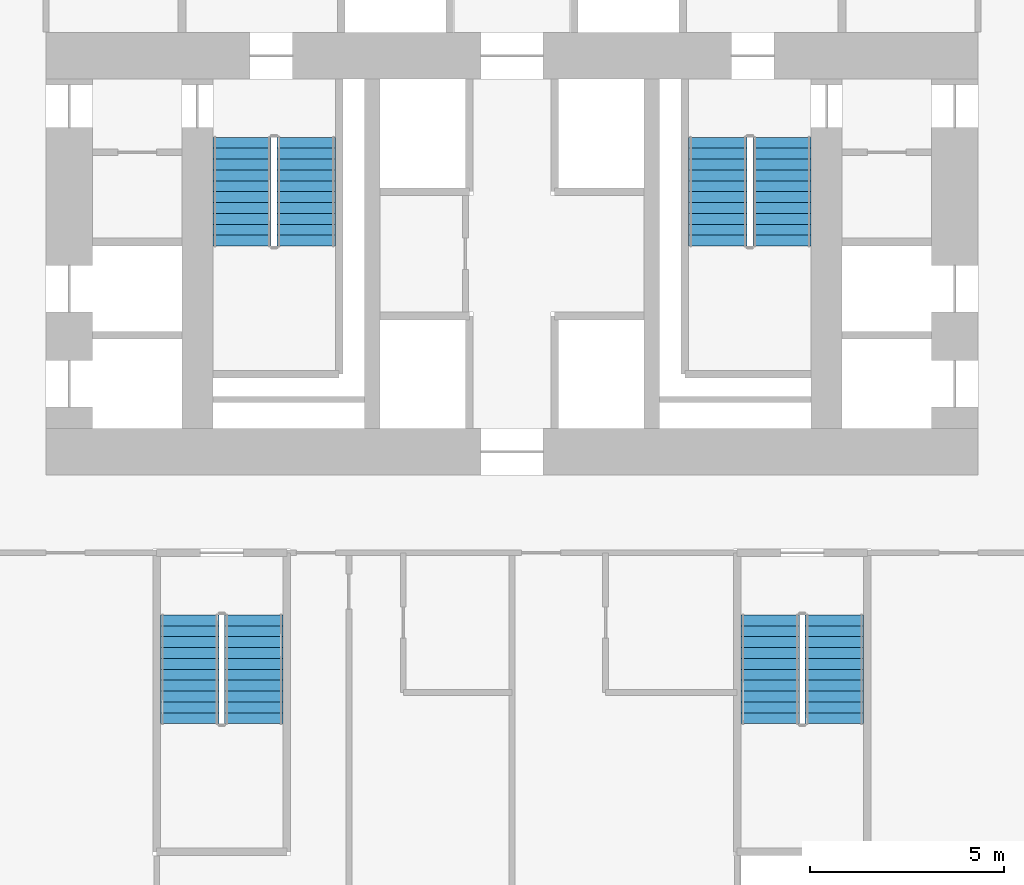
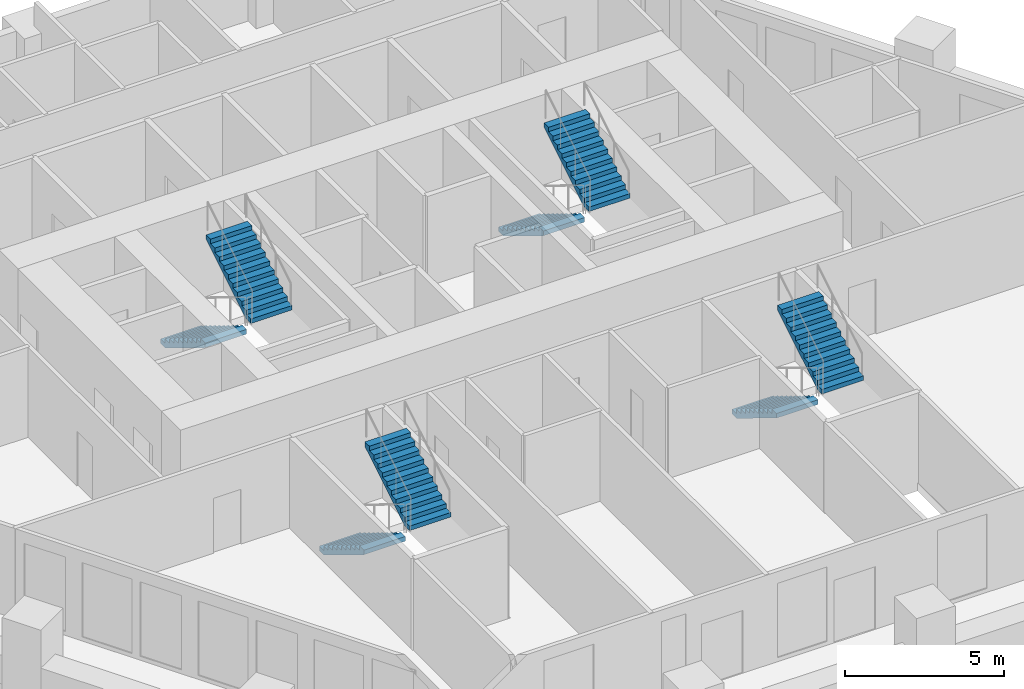
# One storey, part 7 of 8: 8 stair flights, 4 elements without a shape of their own.
"""IFC4 building model written with IfcOpenShell, lengths in metres."""

from ifc_helpers import new_model, si_unit, direction, frame, origin, place, context, subcontext, project, spatial, polyline, outline, extrude, material, type_object, element, aggregate, save


model = new_model("IFC4")

# Units and contexts
model_context = context("Model", 3, precision=1e-05, world=origin(), true_north=direction((0.0, 1.0)))
body_context = subcontext(model_context, "Body", "Model", "MODEL_VIEW")
ifc_project = project(units=[si_unit("LENGTHUNIT", "METRE"), si_unit("AREAUNIT", "SQUARE_METRE"), si_unit("VOLUMEUNIT", "CUBIC_METRE"), si_unit("PLANEANGLEUNIT", "RADIAN"), si_unit("MASSUNIT", "GRAM", prefix="KILO")], contexts=[model_context])

# Site, building, storey
site_placement = place(None, origin())
site = spatial("IfcSite", under=ifc_project, at=site_placement, CompositionType="ELEMENT")
building_placement = place(site_placement, origin())
building = spatial("IfcBuilding", under=site, at=building_placement, Name="Ostrander Bayou Hotel Tower", CompositionType="ELEMENT")
storey_placement = place(building_placement, frame((0.0, 0.0, 61.75)))
storey = spatial("IfcBuildingStorey", under=building, at=storey_placement, Name="L15", CompositionType="ELEMENT", Elevation=61.75)

# Stair, stair flights
ifc_material_1 = material(Name="Concrete f'c 45 MPa", Category="concrete")
stair_type = type_object("IfcStairType", Name="ST1 exit stair 1500 mm f'c 45 MPa", PredefinedType="HALF_TURN_STAIR", material=ifc_material_1)
stair_1_placement = place(storey_placement, origin())
stair_1 = element("IfcStair", 1, at=stair_1_placement, inside=storey, type_object=stair_type, Name="L15 exit stair A", PredefinedType="HALF_TURN_STAIR")
ifc_material_2 = material(Name="Concrete f'c 45 MPa", Category="concrete")
stair_flight_type = type_object("IfcStairFlightType", Name="SF1 stair flight 1500 mm f'c 45 MPa", PredefinedType="STRAIGHT", material=ifc_material_2)
stair_flight_1_placement = place(storey_placement, frame((-6.949951171875, 7.0, 0.0), z_axis=(0.0, 0.0, 1.0), x_axis=(0.0, -1.0, 0.0)))
stair_flight_1 = element("IfcStairFlight", 2, at=stair_flight_1_placement, type_object=stair_flight_type, Name="STA flight 1", NumberOfRisers=11, NumberOfTreads=10, PredefinedType="STRAIGHT", RiserHeight=0.170454545, TreadLength=0.28, context=body_context, shape_type="SweptSolid", body=[
    extrude(outline(polyline([(0.0, 0.0), (0.0, 0.17041015625), (0.280029296875, 0.17041015625), (0.280029296875, 0.3408203125), (0.56005859375, 0.3408203125), (0.56005859375, 0.511474609375), (0.840087890625, 0.511474609375), (0.840087890625, 0.681884765625), (1.1201171875, 0.681884765625), (1.1201171875, 0.852294921875), (1.39990234375, 0.852294921875), (1.39990234375, 1.022705078125), (1.679931640625, 1.022705078125), (1.679931640625, 1.193115234375), (1.9599609375, 1.193115234375), (1.9599609375, 1.363525390625), (2.239990234375, 1.363525390625), (2.239990234375, 1.5341796875), (2.52001953125, 1.5341796875), (2.52001953125, 1.70458984375), (2.800048828125, 1.70458984375), (2.800048828125, 1.875), (2.800048828125, 1.529052734375), (0.288330078125, 0.0), (0.0, 0.0)])), frame((0.0, 0.75, 0.0), z_axis=(0.0, -1.0, 0.0), x_axis=(1.0, 0.0, 0.0)), (0.0, 0.0, 1.0), 1.5),
])
stair_flight_2_placement = place(storey_placement, frame((-5.300048828125, 4.199951171875, 1.875), z_axis=(0.0, 0.0, 1.0), x_axis=(0.0, 1.0, 0.0)))
stair_flight_2 = element("IfcStairFlight", 3, at=stair_flight_2_placement, type_object=stair_flight_type, Name="STA flight 2", NumberOfRisers=11, NumberOfTreads=10, PredefinedType="STRAIGHT", RiserHeight=0.170454545, TreadLength=0.28, context=body_context, shape_type="SweptSolid", body=[
    extrude(outline(polyline([(0.0, 0.0), (0.0, 0.17041015625), (0.280029296875, 0.17041015625), (0.280029296875, 0.3408203125), (0.56005859375, 0.3408203125), (0.56005859375, 0.511474609375), (0.840087890625, 0.511474609375), (0.840087890625, 0.681884765625), (1.1201171875, 0.681884765625), (1.1201171875, 0.852294921875), (1.39990234375, 0.852294921875), (1.39990234375, 1.022705078125), (1.679931640625, 1.022705078125), (1.679931640625, 1.193115234375), (1.9599609375, 1.193115234375), (1.9599609375, 1.363525390625), (2.239990234375, 1.363525390625), (2.239990234375, 1.5341796875), (2.52001953125, 1.5341796875), (2.52001953125, 1.70458984375), (2.800048828125, 1.70458984375), (2.800048828125, 1.875), (2.800048828125, 1.529052734375), (0.288330078125, 0.0), (0.0, 0.0)])), frame((0.0, 0.75, 0.0), z_axis=(0.0, -1.0, 0.0), x_axis=(1.0, 0.0, 0.0)), (0.0, 0.0, 1.0), 1.5),
])
aggregate(stair_1, [stair_flight_1, stair_flight_2])

stair_2_placement = place(storey_placement, origin())
stair_2 = element("IfcStair", 4, at=stair_2_placement, inside=storey, type_object=stair_type, Name="L15 exit stair B", PredefinedType="HALF_TURN_STAIR")
stair_flight_3_placement = place(storey_placement, frame((5.300048828125, 7.0, 0.0), z_axis=(0.0, 0.0, 1.0), x_axis=(0.0, -1.0, 0.0)))
stair_flight_3 = element("IfcStairFlight", 5, at=stair_flight_3_placement, type_object=stair_flight_type, Name="STB flight 1", NumberOfRisers=11, NumberOfTreads=10, PredefinedType="STRAIGHT", RiserHeight=0.170454545, TreadLength=0.28, context=body_context, shape_type="SweptSolid", body=[
    extrude(outline(polyline([(0.0, 0.0), (0.0, 0.17041015625), (0.280029296875, 0.17041015625), (0.280029296875, 0.3408203125), (0.56005859375, 0.3408203125), (0.56005859375, 0.511474609375), (0.840087890625, 0.511474609375), (0.840087890625, 0.681884765625), (1.1201171875, 0.681884765625), (1.1201171875, 0.852294921875), (1.39990234375, 0.852294921875), (1.39990234375, 1.022705078125), (1.679931640625, 1.022705078125), (1.679931640625, 1.193115234375), (1.9599609375, 1.193115234375), (1.9599609375, 1.363525390625), (2.239990234375, 1.363525390625), (2.239990234375, 1.5341796875), (2.52001953125, 1.5341796875), (2.52001953125, 1.70458984375), (2.800048828125, 1.70458984375), (2.800048828125, 1.875), (2.800048828125, 1.529052734375), (0.288330078125, 0.0), (0.0, 0.0)])), frame((0.0, 0.75, 0.0), z_axis=(0.0, -1.0, 0.0), x_axis=(1.0, 0.0, 0.0)), (0.0, 0.0, 1.0), 1.5),
])
stair_flight_4_placement = place(storey_placement, frame((6.949951171875, 4.199951171875, 1.875), z_axis=(0.0, 0.0, 1.0), x_axis=(0.0, 1.0, 0.0)))
stair_flight_4 = element("IfcStairFlight", 6, at=stair_flight_4_placement, type_object=stair_flight_type, Name="STB flight 2", NumberOfRisers=11, NumberOfTreads=10, PredefinedType="STRAIGHT", RiserHeight=0.170454545, TreadLength=0.28, context=body_context, shape_type="SweptSolid", body=[
    extrude(outline(polyline([(0.0, 0.0), (0.0, 0.17041015625), (0.280029296875, 0.17041015625), (0.280029296875, 0.3408203125), (0.56005859375, 0.3408203125), (0.56005859375, 0.511474609375), (0.840087890625, 0.511474609375), (0.840087890625, 0.681884765625), (1.1201171875, 0.681884765625), (1.1201171875, 0.852294921875), (1.39990234375, 0.852294921875), (1.39990234375, 1.022705078125), (1.679931640625, 1.022705078125), (1.679931640625, 1.193115234375), (1.9599609375, 1.193115234375), (1.9599609375, 1.363525390625), (2.239990234375, 1.363525390625), (2.239990234375, 1.5341796875), (2.52001953125, 1.5341796875), (2.52001953125, 1.70458984375), (2.800048828125, 1.70458984375), (2.800048828125, 1.875), (2.800048828125, 1.529052734375), (0.288330078125, 0.0), (0.0, 0.0)])), frame((0.0, 0.75, 0.0), z_axis=(0.0, -1.0, 0.0), x_axis=(1.0, 0.0, 0.0)), (0.0, 0.0, 1.0), 1.5),
])
aggregate(stair_2, [stair_flight_3, stair_flight_4])

stair_3_placement = place(storey_placement, origin())
stair_3 = element("IfcStair", 7, at=stair_3_placement, inside=storey, type_object=stair_type, Name="L15 exit stair C", PredefinedType="HALF_TURN_STAIR")
stair_flight_5_placement = place(storey_placement, frame((6.64990234375, -5.300048828125, 0.0), z_axis=(0.0, 0.0, 1.0), x_axis=(0.0, -1.0, 0.0)))
stair_flight_5 = element("IfcStairFlight", 8, at=stair_flight_5_placement, type_object=stair_flight_type, Name="STC flight 1", NumberOfRisers=11, NumberOfTreads=10, PredefinedType="STRAIGHT", RiserHeight=0.170454545, TreadLength=0.28, context=body_context, shape_type="SweptSolid", body=[
    extrude(outline(polyline([(0.0, 0.0), (0.0, 0.17041015625), (0.280029296875, 0.17041015625), (0.280029296875, 0.3408203125), (0.56005859375, 0.3408203125), (0.56005859375, 0.511474609375), (0.840087890625, 0.511474609375), (0.840087890625, 0.681884765625), (1.1201171875, 0.681884765625), (1.1201171875, 0.852294921875), (1.39990234375, 0.852294921875), (1.39990234375, 1.022705078125), (1.679931640625, 1.022705078125), (1.679931640625, 1.193115234375), (1.9599609375, 1.193115234375), (1.9599609375, 1.363525390625), (2.239990234375, 1.363525390625), (2.239990234375, 1.5341796875), (2.52001953125, 1.5341796875), (2.52001953125, 1.70458984375), (2.800048828125, 1.70458984375), (2.800048828125, 1.875), (2.800048828125, 1.529052734375), (0.288330078125, 0.0), (0.0, 0.0)])), frame((0.0, 0.75, 0.0), z_axis=(0.0, -1.0, 0.0), x_axis=(1.0, 0.0, 0.0)), (0.0, 0.0, 1.0), 1.5),
])
stair_flight_6_placement = place(storey_placement, frame((8.300048828125, -8.10009765625, 1.875), z_axis=(0.0, 0.0, 1.0), x_axis=(0.0, 1.0, 0.0)))
stair_flight_6 = element("IfcStairFlight", 9, at=stair_flight_6_placement, type_object=stair_flight_type, Name="STC flight 2", NumberOfRisers=11, NumberOfTreads=10, PredefinedType="STRAIGHT", RiserHeight=0.170454545, TreadLength=0.28, context=body_context, shape_type="SweptSolid", body=[
    extrude(outline(polyline([(0.0, 0.0), (0.0, 0.17041015625), (0.280029296875, 0.17041015625), (0.280029296875, 0.3408203125), (0.56005859375, 0.3408203125), (0.56005859375, 0.511474609375), (0.840087890625, 0.511474609375), (0.840087890625, 0.681884765625), (1.1201171875, 0.681884765625), (1.1201171875, 0.852294921875), (1.39990234375, 0.852294921875), (1.39990234375, 1.022705078125), (1.679931640625, 1.022705078125), (1.679931640625, 1.193115234375), (1.9599609375, 1.193115234375), (1.9599609375, 1.363525390625), (2.239990234375, 1.363525390625), (2.239990234375, 1.5341796875), (2.52001953125, 1.5341796875), (2.52001953125, 1.70458984375), (2.800048828125, 1.70458984375), (2.800048828125, 1.875), (2.800048828125, 1.529052734375), (0.288330078125, 0.0), (0.0, 0.0)])), frame((0.0, 0.75, 0.0), z_axis=(0.0, -1.0, 0.0), x_axis=(1.0, 0.0, 0.0)), (0.0, 0.0, 1.0), 1.5),
])
aggregate(stair_3, [stair_flight_5, stair_flight_6])

stair_4_placement = place(storey_placement, origin())
stair_4 = element("IfcStair", 10, at=stair_4_placement, inside=storey, type_object=stair_type, Name="L15 exit stair D", PredefinedType="HALF_TURN_STAIR")
stair_flight_7_placement = place(storey_placement, frame((-8.300048828125, -5.300048828125, 0.0), z_axis=(0.0, 0.0, 1.0), x_axis=(0.0, -1.0, 0.0)))
stair_flight_7 = element("IfcStairFlight", 11, at=stair_flight_7_placement, type_object=stair_flight_type, Name="STD flight 1", NumberOfRisers=11, NumberOfTreads=10, PredefinedType="STRAIGHT", RiserHeight=0.170454545, TreadLength=0.28, context=body_context, shape_type="SweptSolid", body=[
    extrude(outline(polyline([(0.0, 0.0), (0.0, 0.17041015625), (0.280029296875, 0.17041015625), (0.280029296875, 0.3408203125), (0.56005859375, 0.3408203125), (0.56005859375, 0.511474609375), (0.840087890625, 0.511474609375), (0.840087890625, 0.681884765625), (1.1201171875, 0.681884765625), (1.1201171875, 0.852294921875), (1.39990234375, 0.852294921875), (1.39990234375, 1.022705078125), (1.679931640625, 1.022705078125), (1.679931640625, 1.193115234375), (1.9599609375, 1.193115234375), (1.9599609375, 1.363525390625), (2.239990234375, 1.363525390625), (2.239990234375, 1.5341796875), (2.52001953125, 1.5341796875), (2.52001953125, 1.70458984375), (2.800048828125, 1.70458984375), (2.800048828125, 1.875), (2.800048828125, 1.529052734375), (0.288330078125, 0.0), (0.0, 0.0)])), frame((0.0, 0.75, 0.0), z_axis=(0.0, -1.0, 0.0), x_axis=(1.0, 0.0, 0.0)), (0.0, 0.0, 1.0), 1.5),
])
stair_flight_8_placement = place(storey_placement, frame((-6.64990234375, -8.10009765625, 1.875), z_axis=(0.0, 0.0, 1.0), x_axis=(0.0, 1.0, 0.0)))
stair_flight_8 = element("IfcStairFlight", 12, at=stair_flight_8_placement, type_object=stair_flight_type, Name="STD flight 2", NumberOfRisers=11, NumberOfTreads=10, PredefinedType="STRAIGHT", RiserHeight=0.170454545, TreadLength=0.28, context=body_context, shape_type="SweptSolid", body=[
    extrude(outline(polyline([(0.0, 0.0), (0.0, 0.17041015625), (0.280029296875, 0.17041015625), (0.280029296875, 0.3408203125), (0.56005859375, 0.3408203125), (0.56005859375, 0.511474609375), (0.840087890625, 0.511474609375), (0.840087890625, 0.681884765625), (1.1201171875, 0.681884765625), (1.1201171875, 0.852294921875), (1.39990234375, 0.852294921875), (1.39990234375, 1.022705078125), (1.679931640625, 1.022705078125), (1.679931640625, 1.193115234375), (1.9599609375, 1.193115234375), (1.9599609375, 1.363525390625), (2.239990234375, 1.363525390625), (2.239990234375, 1.5341796875), (2.52001953125, 1.5341796875), (2.52001953125, 1.70458984375), (2.800048828125, 1.70458984375), (2.800048828125, 1.875), (2.800048828125, 1.529052734375), (0.288330078125, 0.0), (0.0, 0.0)])), frame((0.0, 0.75, 0.0), z_axis=(0.0, -1.0, 0.0), x_axis=(1.0, 0.0, 0.0)), (0.0, 0.0, 1.0), 1.5),
])
aggregate(stair_4, [stair_flight_7, stair_flight_8])

save(model, "model.ifc")
